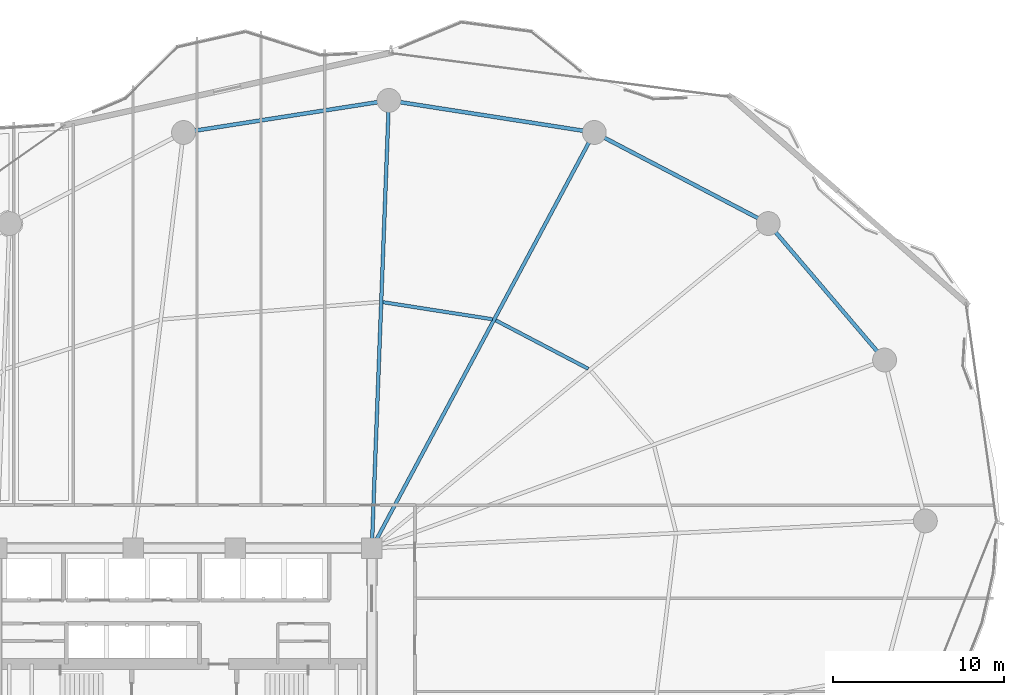
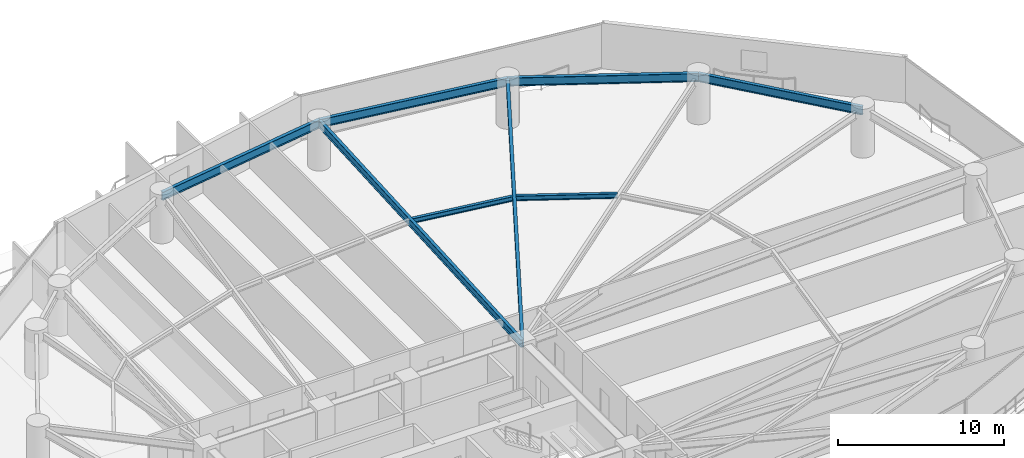
# One storey, part 18 of 31: 8 beams.
"""IFC4 building model written with IfcOpenShell, lengths in metres."""

from ifc_helpers import new_model, si_unit, direction, frame, origin, origin_2d, place, context, subcontext, project, spatial, i_section, extrude, material, material_profile, profile_set, type_object, element, save


model = new_model("IFC4")

# Units and contexts
model_context = context("Model", 3, precision=1e-05, world=origin(), true_north=direction((0.0, 1.0)))
body_context = subcontext(model_context, "Body", "Model", "MODEL_VIEW")
ifc_project = project(units=[si_unit("LENGTHUNIT", "METRE"), si_unit("AREAUNIT", "SQUARE_METRE"), si_unit("VOLUMEUNIT", "CUBIC_METRE"), si_unit("PLANEANGLEUNIT", "RADIAN"), si_unit("MASSUNIT", "GRAM", prefix="KILO")], contexts=[model_context])

# Site, building, storey
site_placement = place(None, origin())
site = spatial("IfcSite", under=ifc_project, at=site_placement, CompositionType="ELEMENT")
building_placement = place(site_placement, origin())
building = spatial("IfcBuilding", under=site, at=building_placement, Name="Kazevale Care Tower and Concert Hall", CompositionType="ELEMENT")
storey_placement = place(building_placement, frame((0.0, 0.0, 63.60009765625)))
storey = spatial("IfcBuildingStorey", under=building, at=storey_placement, Name="L16", CompositionType="ELEMENT", Elevation=63.60009765625)

# Beams
ifc_material = material(Name="Steel ASTM A572 Gr 50", Category="steel")
ifc_material_profile_1 = material_profile(ifc_material, i_section(OverallWidth=0.2119140625, OverallDepth=0.5439453125, WebThickness=0.01318359375, FlangeThickness=0.021240234375, at=origin_2d()), Name="W530x123")
ifc_profile_set_1 = profile_set([ifc_material_profile_1], Name="Steel ASTM A572 Gr 50")
beam_type_1 = type_object("IfcBeamType", Name="Radial Floor Girder W530x123", PredefinedType="BEAM", material=ifc_profile_set_1)
beam_1_placement = place(storey_placement, frame((44.0, 36.39990234375, 3.087890625), z_axis=(0.471788966953, 0.88171150081, 0.0), x_axis=(-0.88171150081, 0.471788966953, 0.0)))
element("IfcBeam", 1, at=beam_1_placement, inside=storey, type_object=beam_type_1, Name="beam:L16:rad:04", PredefinedType="BEAM", context=body_context, shape_type="SweptSolid", body=[
    extrude(i_section(OverallWidth=0.2119140625, OverallDepth=0.5439453125, WebThickness=0.01318359375, FlangeThickness=0.021240234375, at=origin_2d()), origin(), (0.0, 0.0, 1.0), 27.6396484375),
])
beam_2_placement = place(storey_placement, frame((44.0, 36.39990234375, 3.087890625), z_axis=(0.038067625343, 0.999275165258, 0.0), x_axis=(-0.999275165258, 0.038067625343, 0.0)))
element("IfcBeam", 2, at=beam_2_placement, inside=storey, type_object=beam_type_1, Name="beam:L16:rad:05", PredefinedType="BEAM", context=body_context, shape_type="SweptSolid", body=[
    extrude(i_section(OverallWidth=0.2119140625, OverallDepth=0.5439453125, WebThickness=0.01318359375, FlangeThickness=0.021240234375, at=origin_2d()), origin(), (0.0, 0.0, 1.0), 26.26904296875),
])
ifc_material_profile_2 = material_profile(ifc_material, i_section(OverallWidth=0.22900390625, OverallDepth=0.612060546875, WebThickness=0.011962890625, FlangeThickness=0.01953125, at=origin_2d()), Name="W610x125")
ifc_profile_set_2 = profile_set([ifc_material_profile_2], Name="Steel ASTM A572 Gr 50")
beam_type_2 = type_object("IfcBeamType", Name="Ring Spandrel Beam W610x125", PredefinedType="SPANDREL", material=ifc_profile_set_2)
beam_3_placement = place(storey_placement, frame((74.06005859375, 47.429931640625, 3.053955078125), z_axis=(-0.648756004283, 0.760996482848, 0.0), x_axis=(-0.760996482848, -0.648756004283, 0.0)))
element("IfcBeam", 3, at=beam_3_placement, inside=storey, type_object=beam_type_2, Name="beam:L16:ring:02", PredefinedType="SPANDREL", context=body_context, shape_type="SweptSolid", body=[
    extrude(i_section(OverallWidth=0.22900390625, OverallDepth=0.612060546875, WebThickness=0.011962890625, FlangeThickness=0.01953125, at=origin_2d()), origin(), (0.0, 0.0, 1.0), 10.512451171875),
])
beam_4_placement = place(storey_placement, frame((67.239990234375, 55.429931640625, 3.053955078125), z_axis=(-0.885929466679, 0.463819986708, 0.0), x_axis=(-0.463819986708, -0.885929466679, 0.0)))
element("IfcBeam", 4, at=beam_4_placement, inside=storey, type_object=beam_type_2, Name="beam:L16:ring:03", PredefinedType="SPANDREL", context=body_context, shape_type="SweptSolid", body=[
    extrude(i_section(OverallWidth=0.22900390625, OverallDepth=0.612060546875, WebThickness=0.011962890625, FlangeThickness=0.01953125, at=origin_2d()), origin(), (0.0, 0.0, 1.0), 11.51318359375),
])
for number, where, z_axis, x_axis, name in (
    (5, (57.0400390625, 60.77001953125, 3.053955078125), (-0.988029216561, 0.154266870134, 0.0), (-0.154266870134, -0.988029216561, 0.0), "beam:L16:ring:04"),
    (6, (45.0, 62.64990234375, 3.053955078125), (-0.988029216561, -0.154266870134, 0.0), (0.154266870134, -0.988029216561, 0.0), "beam:L16:ring:05"),
):
    element("IfcBeam", number, at=place(storey_placement, frame(where, z_axis=z_axis, x_axis=x_axis)), inside=storey, type_object=beam_type_2, Name=name, PredefinedType="SPANDREL", context=body_context, shape_type="SweptSolid", body=[
        extrude(i_section(OverallWidth=0.22900390625, OverallDepth=0.612060546875, WebThickness=0.011962890625, FlangeThickness=0.01953125, at=origin_2d()), origin(), (0.0, 0.0, 1.0), 12.18603515625),
    ])
ifc_material_profile_3 = material_profile(ifc_material, i_section(OverallWidth=0.205078125, OverallDepth=0.35400390625, WebThickness=0.009521484375, FlangeThickness=0.016845703125, at=origin_2d()), Name="W360x79")
ifc_profile_set_3 = profile_set([ifc_material_profile_3], Name="Steel ASTM A572 Gr 50")
beam_type_3 = type_object("IfcBeamType", Name="Secondary Floor Joist W360x79", PredefinedType="JOIST", material=ifc_profile_set_3)
beam_5_placement = place(storey_placement, frame((56.68896484375, 46.9150390625, 3.182861328125), z_axis=(-0.885921274797, 0.463835633454, 0.0), x_axis=(-0.463835633454, -0.885921274797, 0.0)))
element("IfcBeam", 7, at=beam_5_placement, inside=storey, type_object=beam_type_3, Name="beam:L16:joist:03", PredefinedType="JOIST", context=body_context, shape_type="SweptSolid", body=[
    extrude(i_section(OverallWidth=0.205078125, OverallDepth=0.35400390625, WebThickness=0.009521484375, FlangeThickness=0.016845703125, at=origin_2d()), origin(), (0.0, 0.0, 1.0), 6.12255859375),
])
beam_6_placement = place(storey_placement, frame((51.068115234375, 49.820068359375, 3.182861328125), z_axis=(-0.988040697826, 0.154193318403, 0.0), x_axis=(-0.154193318403, -0.988040697826, 0.0)))
element("IfcBeam", 8, at=beam_6_placement, inside=storey, type_object=beam_type_3, Name="beam:L16:joist:04", PredefinedType="JOIST", context=body_context, shape_type="SweptSolid", body=[
    extrude(i_section(OverallWidth=0.205078125, OverallDepth=0.35400390625, WebThickness=0.009521484375, FlangeThickness=0.016845703125, at=origin_2d()), origin(), (0.0, 0.0, 1.0), 6.49169921875),
])

save(model, "model.ifc")
